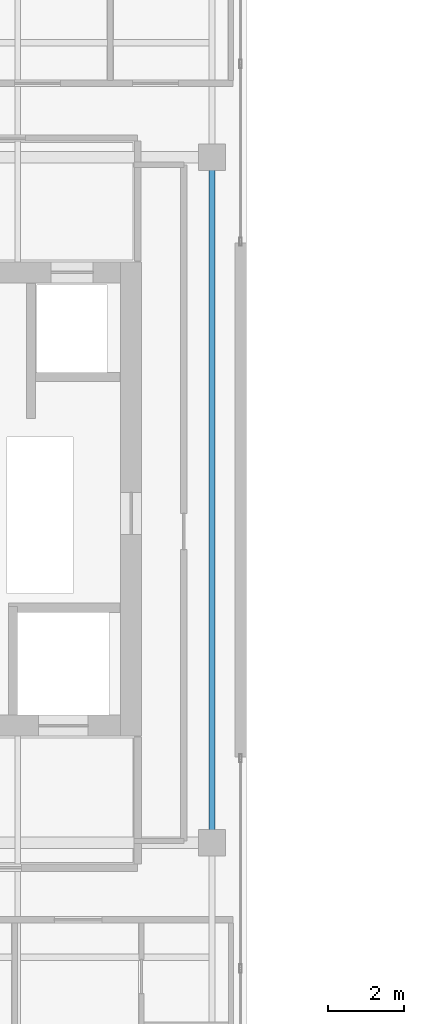
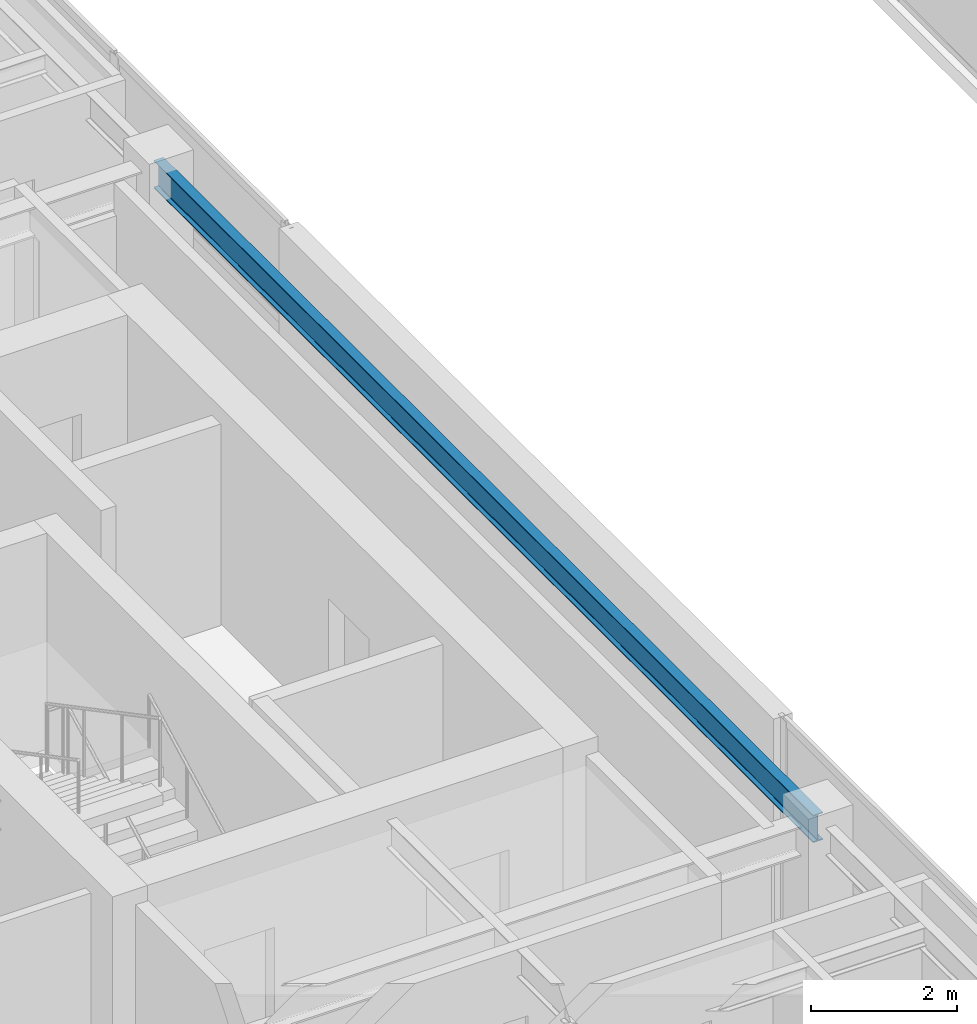
# One storey, part 7 of 24: 1 beam.
"""IFC4 building model written with IfcOpenShell, lengths in metres."""

from ifc_helpers import new_model, si_unit, direction, frame, origin, origin_2d, place, context, subcontext, project, spatial, i_section, extrude, source, transform, mapped, material, material_profile, profile_set, type_object, element, save


model = new_model("IFC4")

# Units and contexts
model_context = context("Model", 3, precision=1e-05, world=origin(), true_north=direction((0.0, 1.0)))
body_context = subcontext(model_context, "Body", "Model", "MODEL_VIEW")
ifc_project = project(units=[si_unit("LENGTHUNIT", "METRE"), si_unit("AREAUNIT", "SQUARE_METRE"), si_unit("VOLUMEUNIT", "CUBIC_METRE"), si_unit("PLANEANGLEUNIT", "RADIAN"), si_unit("MASSUNIT", "GRAM", prefix="KILO")], contexts=[model_context])

# Site, building, storey
site_placement = place(None, origin())
site = spatial("IfcSite", under=ifc_project, at=site_placement, CompositionType="ELEMENT")
building_placement = place(site_placement, origin())
building = spatial("IfcBuilding", under=site, at=building_placement, Name="Khoralis Quay Care Tower", CompositionType="ELEMENT")
storey_placement = place(building_placement, frame((0.0, 0.0, 234.89990234375)))
storey = spatial("IfcBuildingStorey", under=building, at=storey_placement, Name="L61", CompositionType="ELEMENT", Elevation=234.89990234375)

# Beam
ifc_material = material(Name="Steel S355", Category="steel")
ifc_material_profile = material_profile(ifc_material, i_section(OverallWidth=0.154052734375, OverallDepth=0.458984375, WebThickness=0.009033203125, FlangeThickness=0.015380859375, FilletRadius=0.014892578125, at=origin_2d()), Name="Steel S355")
ifc_profile_set = profile_set([ifc_material_profile], Name="Steel S355")
beam_type = type_object("IfcBeamType", Name="BM-W460X68", PredefinedType="BEAM", material=ifc_profile_set)
shared_shape = source(origin(), body_context, "Body", "SweptSolid", [
    extrude(i_section(OverallWidth=0.154052734375, OverallDepth=0.458984375, WebThickness=0.009033203125, FlangeThickness=0.015380859375, FilletRadius=0.014892578125, at=origin_2d()), origin(), (0.0, 0.0, 1.0), 18.0),
])
beam_placement = place(storey_placement, frame((17.10009765625, 12.0, 3.130615234375), z_axis=(0.0, 1.0, 0.0), x_axis=(-1.0, 0.0, 0.0)))
element("IfcBeam", 1, at=beam_placement, inside=storey, type_object=beam_type, Name="BM-TGSW-L61", PredefinedType="BEAM", context=body_context, shape_type="MappedRepresentation", body=[
    mapped(shared_shape, transform((0.0, 0.0, 0.0), scale=1.0)),
])

save(model, "model.ifc")
